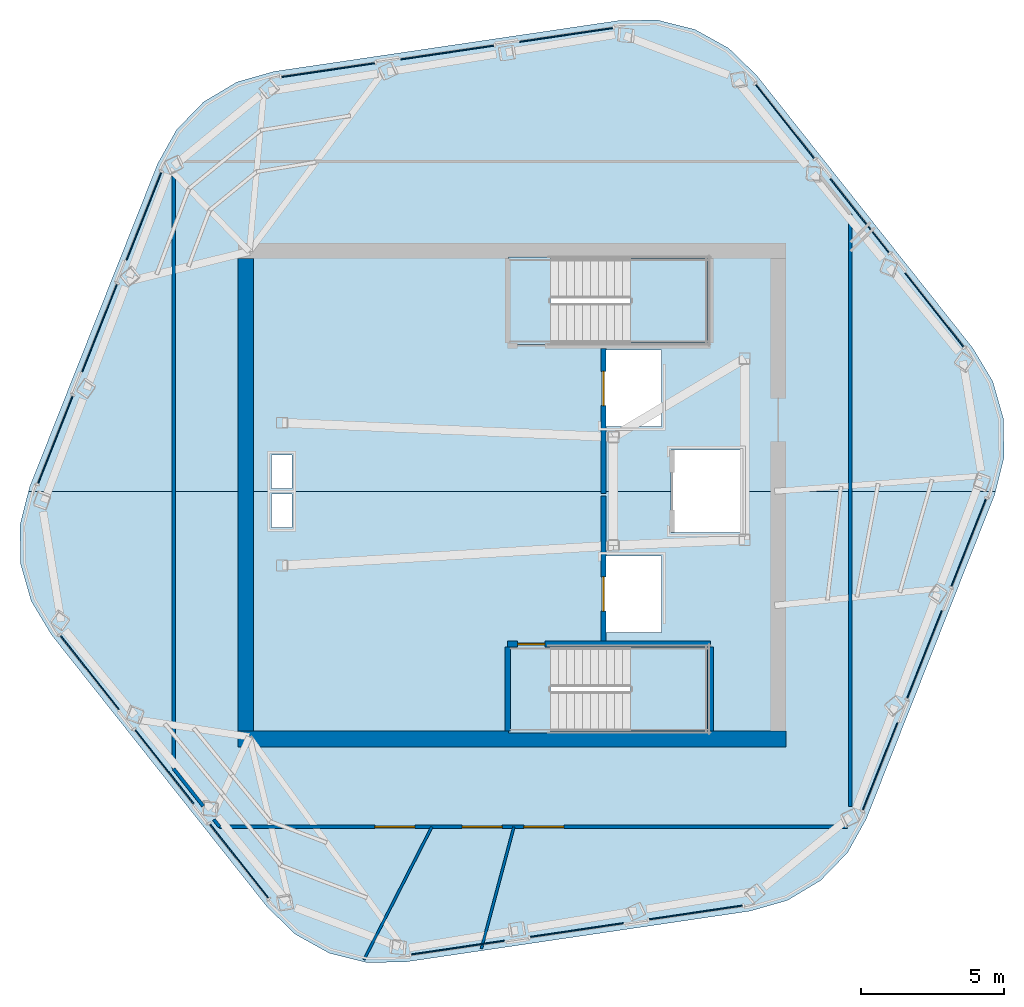
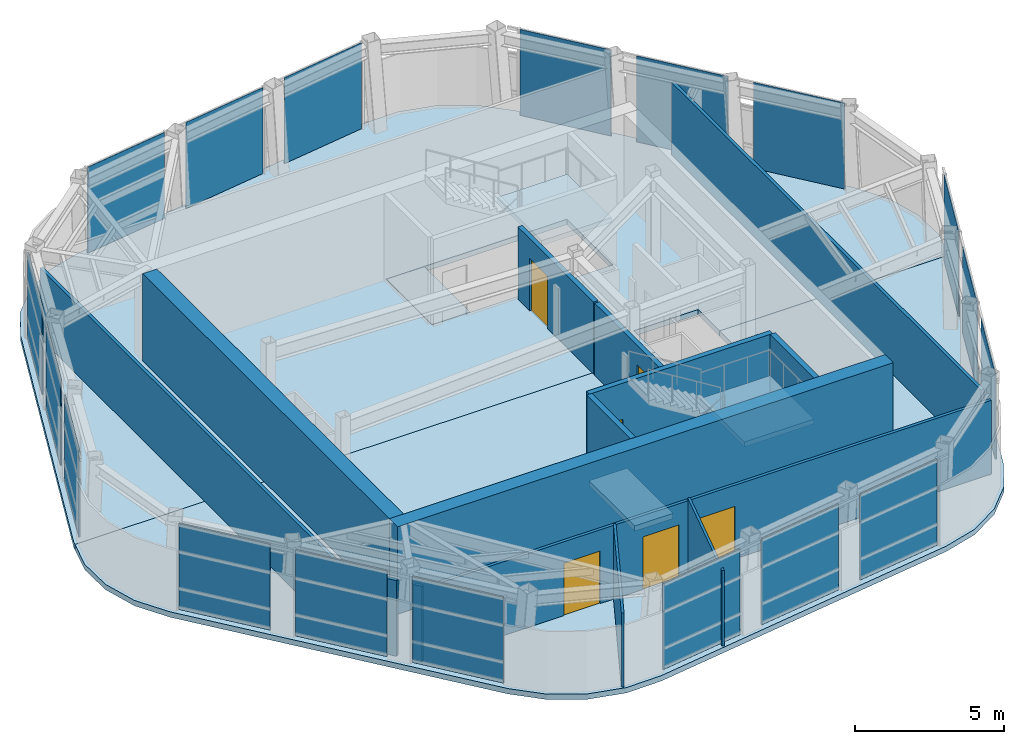
# One storey, part 5 of 9: 18 plates, 14 walls, 6 doors, 6 slabs, 6 openings, 8 elements without a shape of their own.
"""IFC4 building model written with IfcOpenShell, lengths in metres."""

from ifc_helpers import new_model, si_unit, direction, frame, frame_2d, origin, origin_2d, place, context, subcontext, project, spatial, polyline, rectangle, outline, extrude, material, layer, layer_set, type_object, element, fill, aggregate, save


model = new_model("IFC4")

# Units and contexts
model_context = context("Model", 3, precision=1e-05, world=origin(), true_north=direction((0.0, 1.0)))
body_context = subcontext(model_context, "Body", "Model", "MODEL_VIEW")
ifc_project = project(units=[si_unit("LENGTHUNIT", "METRE"), si_unit("AREAUNIT", "SQUARE_METRE"), si_unit("VOLUMEUNIT", "CUBIC_METRE"), si_unit("PLANEANGLEUNIT", "RADIAN"), si_unit("MASSUNIT", "GRAM", prefix="KILO")], contexts=[model_context])

# Site, building, storey
site_placement = place(None, origin())
site = spatial("IfcSite", under=ifc_project, at=site_placement, CompositionType="ELEMENT")
building_placement = place(site_placement, origin())
building = spatial("IfcBuilding", under=site, at=building_placement, Name="Valkerne Bourse Tower", CompositionType="ELEMENT")
storey_placement = place(building_placement, frame((0.0, 0.0, 319.199951171875)))
storey = spatial("IfcBuildingStorey", under=building, at=storey_placement, Name="L81", CompositionType="ELEMENT", Elevation=319.199951171875)

# Curtain wall, plates
ifc_material_1 = material(Name="Aluminium AA 6063-T6", Category="aluminium")
ifc_layer_1 = layer(ifc_material_1, 0.25)
ifc_layer_set_1 = layer_set([ifc_layer_1], Name="Aluminium AA 6063-T6")
curtain_wall_type = type_object("IfcCurtainWallType", Name="CW-06", PredefinedType="NOTDEFINED", material=ifc_layer_set_1)
curtain_wall_1_placement = place(storey_placement, origin())
curtain_wall_1 = element("IfcCurtainWall", 1, at=curtain_wall_1_placement, inside=storey, type_object=curtain_wall_type, Name="L81 Hexagonal Stick Curtain Wall Face 1", PredefinedType="NOTDEFINED")
ifc_material_2 = material(Name="Bronze Anodised Aluminium AA 6063-T6", Category="aluminium")
ifc_layer_2 = layer(ifc_material_2, 0.0400390625)
ifc_layer_set_2 = layer_set([ifc_layer_2], Name="Bronze Anodised Aluminium AA 6063-T6")
plate_type = type_object("IfcPlateType", Name="CW-PNL-LOUVRE-40", PredefinedType="CURTAIN_PANEL", material=ifc_layer_set_2)
plate_1_placement = place(storey_placement, frame((48.69677734375, 42.9873046875, 0.030029296875), z_axis=(0.0, 0.0, 1.0), x_axis=(-0.989268884188, -0.146106381713, 0.0)))
plate_1 = element("IfcPlate", 2, at=plate_1_placement, type_object=plate_type, Name="CW-L81-F1 Curtain Panel 00", PredefinedType="CURTAIN_PANEL", context=body_context, shape_type="SweptSolid", body=[
    extrude(rectangle(XDim=3.2919921875, YDim=0.0400390625, at=origin_2d()), origin(), (0.0, 0.0, 1.0), 3.52001953125),
])
plate_2_placement = place(storey_placement, frame((44.530029296875, 42.3720703125, 0.030029296875), z_axis=(0.0, 0.0, 1.0), x_axis=(-0.989272315516, -0.146083146714, 0.0)))
plate_2 = element("IfcPlate", 3, at=plate_2_placement, type_object=plate_type, Name="CW-L81-F1 Curtain Panel 01", PredefinedType="CURTAIN_PANEL", context=body_context, shape_type="SweptSolid", body=[
    extrude(rectangle(XDim=3.2919921875, YDim=0.0400390625, at=origin_2d()), origin(), (0.0, 0.0, 1.0), 3.52001953125),
])
plate_3_placement = place(storey_placement, frame((40.36328125, 41.756591796875, 0.030029296875), z_axis=(0.0, 0.0, 1.0), x_axis=(-0.989272315516, -0.146083146714, 0.0)))
plate_3 = element("IfcPlate", 4, at=plate_3_placement, type_object=plate_type, Name="CW-L81-F1 Curtain Panel 02", PredefinedType="CURTAIN_PANEL", context=body_context, shape_type="SweptSolid", body=[
    extrude(rectangle(XDim=3.2919921875, YDim=0.0400390625, at=origin_2d()), origin(), (0.0, 0.0, 1.0), 3.52001953125),
])
aggregate(curtain_wall_1, [plate_1, plate_2, plate_3])

curtain_wall_2_placement = place(storey_placement, origin())
curtain_wall_2 = element("IfcCurtainWall", 5, at=curtain_wall_2_placement, inside=storey, type_object=curtain_wall_type, Name="L81 Hexagonal Stick Curtain Wall Face 2", PredefinedType="NOTDEFINED")
plate_4_placement = place(storey_placement, frame((33.903076171875, 36.636474609375, 0.030029296875), z_axis=(0.0, 0.0, 1.0), x_axis=(-0.368130122677, -0.929774280553, 0.0)))
plate_4 = element("IfcPlate", 6, at=plate_4_placement, type_object=plate_type, Name="CW-L81-F2 Curtain Panel 00", PredefinedType="CURTAIN_PANEL", context=body_context, shape_type="SweptSolid", body=[
    extrude(rectangle(XDim=3.2919921875, YDim=0.0400390625, at=origin_2d()), origin(), (0.0, 0.0, 1.0), 3.52001953125),
])
plate_5_placement = place(storey_placement, frame((32.3525390625, 32.72021484375, 0.030029296875), z_axis=(0.0, 0.0, 1.0), x_axis=(-0.368117724578, -0.929779189298, 0.0)))
plate_5 = element("IfcPlate", 7, at=plate_5_placement, type_object=plate_type, Name="CW-L81-F2 Curtain Panel 01", PredefinedType="CURTAIN_PANEL", context=body_context, shape_type="SweptSolid", body=[
    extrude(rectangle(XDim=3.2919921875, YDim=0.0400390625, at=origin_2d()), origin(), (0.0, 0.0, 1.0), 3.52001953125),
])
plate_6_placement = place(storey_placement, frame((30.802001953125, 28.803955078125, 0.030029296875), z_axis=(0.0, 0.0, 1.0), x_axis=(-0.368117724578, -0.929779189298, 0.0)))
plate_6 = element("IfcPlate", 8, at=plate_6_placement, type_object=plate_type, Name="CW-L81-F2 Curtain Panel 02", PredefinedType="CURTAIN_PANEL", context=body_context, shape_type="SweptSolid", body=[
    extrude(rectangle(XDim=3.2919921875, YDim=0.0400390625, at=origin_2d()), origin(), (0.0, 0.0, 1.0), 3.52001953125),
])
aggregate(curtain_wall_2, [plate_4, plate_5, plate_6])

curtain_wall_3_placement = place(storey_placement, origin())
curtain_wall_3 = element("IfcCurtainWall", 9, at=curtain_wall_3_placement, inside=storey, type_object=curtain_wall_type, Name="L81 Hexagonal Stick Curtain Wall Face 3", PredefinedType="NOTDEFINED")
plate_7_placement = place(storey_placement, frame((32.006103515625, 20.649169921875, 0.030029296875), z_axis=(0.0, 0.0, 1.0), x_axis=(0.621153452268, -0.783688961729, 0.0)))
plate_7 = element("IfcPlate", 10, at=plate_7_placement, type_object=plate_type, Name="CW-L81-F3 Curtain Panel 00", PredefinedType="CURTAIN_PANEL", context=body_context, shape_type="SweptSolid", body=[
    extrude(rectangle(XDim=3.2919921875, YDim=0.0400390625, at=origin_2d()), origin(), (0.0, 0.0, 1.0), 3.52001953125),
])
plate_8_placement = place(storey_placement, frame((34.622314453125, 17.34814453125, 0.030029296875), z_axis=(0.0, 0.0, 1.0), x_axis=(0.621153452268, -0.783688961729, 0.0)))
plate_8 = element("IfcPlate", 11, at=plate_8_placement, type_object=plate_type, Name="CW-L81-F3 Curtain Panel 01", PredefinedType="CURTAIN_PANEL", context=body_context, shape_type="SweptSolid", body=[
    extrude(rectangle(XDim=3.2919921875, YDim=0.0400390625, at=origin_2d()), origin(), (0.0, 0.0, 1.0), 3.52001953125),
])
plate_9_placement = place(storey_placement, frame((37.23876953125, 14.04736328125, 0.030029296875), z_axis=(0.0, 0.0, 1.0), x_axis=(0.621153452268, -0.783688961729, 0.0)))
plate_9 = element("IfcPlate", 12, at=plate_9_placement, type_object=plate_type, Name="CW-L81-F3 Curtain Panel 02", PredefinedType="CURTAIN_PANEL", context=body_context, shape_type="SweptSolid", body=[
    extrude(rectangle(XDim=3.2919921875, YDim=0.0400390625, at=origin_2d()), origin(), (0.0, 0.0, 1.0), 3.52001953125),
])
aggregate(curtain_wall_3, [plate_7, plate_8, plate_9])

curtain_wall_4_placement = place(storey_placement, origin())
curtain_wall_4 = element("IfcCurtainWall", 13, at=curtain_wall_4_placement, inside=storey, type_object=curtain_wall_type, Name="L81 Hexagonal Stick Curtain Wall Face 4", PredefinedType="NOTDEFINED")
plate_10_placement = place(storey_placement, frame((44.9033203125, 11.0126953125, 0.030029296875), z_axis=(0.0, 0.0, 1.0), x_axis=(0.989268884188, 0.146106381713, 0.0)))
plate_10 = element("IfcPlate", 14, at=plate_10_placement, type_object=plate_type, Name="CW-L81-F4 Curtain Panel 00", PredefinedType="CURTAIN_PANEL", context=body_context, shape_type="SweptSolid", body=[
    extrude(rectangle(XDim=3.2919921875, YDim=0.0400390625, at=origin_2d()), origin(), (0.0, 0.0, 1.0), 3.52001953125),
])
plate_11_placement = place(storey_placement, frame((49.070068359375, 11.6279296875, 0.030029296875), z_axis=(0.0, 0.0, 1.0), x_axis=(0.989272315516, 0.146083146714, 0.0)))
plate_11 = element("IfcPlate", 15, at=plate_11_placement, type_object=plate_type, Name="CW-L81-F4 Curtain Panel 01", PredefinedType="CURTAIN_PANEL", context=body_context, shape_type="SweptSolid", body=[
    extrude(rectangle(XDim=3.2919921875, YDim=0.0400390625, at=origin_2d()), origin(), (0.0, 0.0, 1.0), 3.52001953125),
])
plate_12_placement = place(storey_placement, frame((53.23681640625, 12.243408203125, 0.030029296875), z_axis=(0.0, 0.0, 1.0), x_axis=(0.989272315516, 0.146083146714, 0.0)))
plate_12 = element("IfcPlate", 16, at=plate_12_placement, type_object=plate_type, Name="CW-L81-F4 Curtain Panel 02", PredefinedType="CURTAIN_PANEL", context=body_context, shape_type="SweptSolid", body=[
    extrude(rectangle(XDim=3.2919921875, YDim=0.0400390625, at=origin_2d()), origin(), (0.0, 0.0, 1.0), 3.52001953125),
])
aggregate(curtain_wall_4, [plate_10, plate_11, plate_12])

curtain_wall_5_placement = place(storey_placement, origin())
curtain_wall_5 = element("IfcCurtainWall", 17, at=curtain_wall_5_placement, inside=storey, type_object=curtain_wall_type, Name="L81 Hexagonal Stick Curtain Wall Face 5", PredefinedType="NOTDEFINED")
plate_13_placement = place(storey_placement, frame((59.697021484375, 17.363525390625, 0.030029296875), z_axis=(0.0, 0.0, 1.0), x_axis=(0.368130122677, 0.929774280553, 0.0)))
plate_13 = element("IfcPlate", 18, at=plate_13_placement, type_object=plate_type, Name="CW-L81-F5 Curtain Panel 00", PredefinedType="CURTAIN_PANEL", context=body_context, shape_type="SweptSolid", body=[
    extrude(rectangle(XDim=3.2919921875, YDim=0.0400390625, at=origin_2d()), origin(), (0.0, 0.0, 1.0), 3.52001953125),
])
plate_14_placement = place(storey_placement, frame((61.24755859375, 21.27978515625, 0.030029296875), z_axis=(0.0, 0.0, 1.0), x_axis=(0.368117724578, 0.929779189298, 0.0)))
plate_14 = element("IfcPlate", 19, at=plate_14_placement, type_object=plate_type, Name="CW-L81-F5 Curtain Panel 01", PredefinedType="CURTAIN_PANEL", context=body_context, shape_type="SweptSolid", body=[
    extrude(rectangle(XDim=3.2919921875, YDim=0.0400390625, at=origin_2d()), origin(), (0.0, 0.0, 1.0), 3.52001953125),
])
plate_15_placement = place(storey_placement, frame((62.798095703125, 25.196044921875, 0.030029296875), z_axis=(0.0, 0.0, 1.0), x_axis=(0.368117724578, 0.929779189298, 0.0)))
plate_15 = element("IfcPlate", 20, at=plate_15_placement, type_object=plate_type, Name="CW-L81-F5 Curtain Panel 02", PredefinedType="CURTAIN_PANEL", context=body_context, shape_type="SweptSolid", body=[
    extrude(rectangle(XDim=3.2919921875, YDim=0.0400390625, at=origin_2d()), origin(), (0.0, 0.0, 1.0), 3.52001953125),
])
aggregate(curtain_wall_5, [plate_13, plate_14, plate_15])

curtain_wall_6_placement = place(storey_placement, origin())
curtain_wall_6 = element("IfcCurtainWall", 21, at=curtain_wall_6_placement, inside=storey, type_object=curtain_wall_type, Name="L81 Hexagonal Stick Curtain Wall Face 6", PredefinedType="NOTDEFINED")
plate_16_placement = place(storey_placement, frame((61.593994140625, 33.350830078125, 0.030029296875), z_axis=(0.0, 0.0, 1.0), x_axis=(-0.621153452268, 0.783688961729, 0.0)))
plate_16 = element("IfcPlate", 22, at=plate_16_placement, type_object=plate_type, Name="CW-L81-F6 Curtain Panel 00", PredefinedType="CURTAIN_PANEL", context=body_context, shape_type="SweptSolid", body=[
    extrude(rectangle(XDim=3.2919921875, YDim=0.0400390625, at=origin_2d()), origin(), (0.0, 0.0, 1.0), 3.52001953125),
])
plate_17_placement = place(storey_placement, frame((58.9775390625, 36.65185546875, 0.030029296875), z_axis=(0.0, 0.0, 1.0), x_axis=(-0.621153452268, 0.783688961729, 0.0)))
plate_17 = element("IfcPlate", 23, at=plate_17_placement, type_object=plate_type, Name="CW-L81-F6 Curtain Panel 01", PredefinedType="CURTAIN_PANEL", context=body_context, shape_type="SweptSolid", body=[
    extrude(rectangle(XDim=3.2919921875, YDim=0.0400390625, at=origin_2d()), origin(), (0.0, 0.0, 1.0), 3.52001953125),
])
plate_18_placement = place(storey_placement, frame((56.361328125, 39.95263671875, 0.030029296875), z_axis=(0.0, 0.0, 1.0), x_axis=(-0.621153452268, 0.783688961729, 0.0)))
plate_18 = element("IfcPlate", 24, at=plate_18_placement, type_object=plate_type, Name="CW-L81-F6 Curtain Panel 02", PredefinedType="CURTAIN_PANEL", context=body_context, shape_type="SweptSolid", body=[
    extrude(rectangle(XDim=3.2919921875, YDim=0.0400390625, at=origin_2d()), origin(), (0.0, 0.0, 1.0), 3.52001953125),
])
aggregate(curtain_wall_6, [plate_16, plate_17, plate_18])

# Slabs
ifc_material_3 = material(Name="Concrete C40/50", Category="concrete")
ifc_layer_3 = layer(ifc_material_3, 0.219970703125)
ifc_layer_set_3 = layer_set([ifc_layer_3], Name="Concrete C40/50")
slab_type_1 = type_object("IfcSlabType", Name="SLB-CRN-220", PredefinedType="FLOOR", material=ifc_layer_set_3)
slab_1_placement = place(storey_placement, frame((0.0, 0.0, -0.219970703125)))
element("IfcSlab", 25, at=slab_1_placement, inside=storey, type_object=slab_type_1, Name="L81 Hexagonal Composite Floor Slab S", PredefinedType="FLOOR", context=body_context, shape_type="SweptSolid", body=[
    extrude(outline(polyline([(63.69970703125, 26.8671875), (59.210205078125, 15.5283203125), (58.5498046875, 14.342041015625), (57.605224609375, 13.3671875), (56.4404296875, 12.670166015625), (55.135009765625, 12.298095703125), (43.070068359375, 10.5166015625), (41.712890625, 10.495361328125), (40.396240234375, 10.825927734375), (39.210205078125, 11.486083984375), (38.2353515625, 12.430908203125), (30.66015625, 21.988525390625), (29.962890625, 23.1533203125), (29.591064453125, 24.458740234375), (29.569580078125, 25.816162109375), (29.8671875, 27.0), (52.360107421875, 27.0), (52.360107421875, 25.56005859375), (54.840087890625, 25.56005859375), (54.840087890625, 27.0), (63.73291015625, 27.0), (63.69970703125, 26.8671875)]), holes=[polyline([(46.6650390625, 18.534912109375), (53.675048828125, 18.534912109375), (53.675048828125, 21.614990234375), (46.6650390625, 21.614990234375), (46.6650390625, 18.534912109375)]), polyline([(49.9599609375, 24.739990234375), (49.9599609375, 22.06005859375), (52.0400390625, 22.06005859375), (52.0400390625, 24.739990234375), (49.9599609375, 24.739990234375)]), polyline([(38.3798828125, 26.89990234375), (38.3798828125, 25.72998046875), (39.10009765625, 25.72998046875), (39.10009765625, 26.89990234375), (38.3798828125, 26.89990234375)])]), origin(), (0.0, 0.0, 1.0), 0.219970703125),
])
slab_2_placement = place(storey_placement, frame((0.0, 0.0, -0.219970703125)))
element("IfcSlab", 26, at=slab_2_placement, inside=storey, type_object=slab_type_1, Name="L81 Hexagonal Composite Floor Slab N", PredefinedType="FLOOR", context=body_context, shape_type="SweptSolid", body=[
    extrude(outline(polyline([(63.63720703125, 30.8466796875), (64.0087890625, 29.541259765625), (64.0302734375, 28.183837890625), (63.73291015625, 27.0), (54.840087890625, 27.0), (54.840087890625, 28.43994140625), (52.360107421875, 28.43994140625), (52.360107421875, 27.0), (29.8671875, 27.0), (29.900390625, 27.1328125), (34.389892578125, 38.4716796875), (35.050048828125, 39.657958984375), (35.994873046875, 40.6328125), (37.15966796875, 41.329833984375), (38.465087890625, 41.701904296875), (50.52978515625, 43.4833984375), (51.88720703125, 43.504638671875), (53.20361328125, 43.174072265625), (54.389892578125, 42.513916015625), (55.36474609375, 41.569091796875), (62.93994140625, 32.011474609375), (63.63720703125, 30.8466796875)]), holes=[polyline([(38.3798828125, 28.27001953125), (38.3798828125, 27.10009765625), (39.10009765625, 27.10009765625), (39.10009765625, 28.27001953125), (38.3798828125, 28.27001953125)]), polyline([(49.9599609375, 31.93994140625), (49.9599609375, 29.260009765625), (52.0400390625, 29.260009765625), (52.0400390625, 31.93994140625), (49.9599609375, 31.93994140625)]), polyline([(46.6650390625, 35.215087890625), (46.6650390625, 32.135009765625), (53.675048828125, 32.135009765625), (53.675048828125, 35.215087890625), (46.6650390625, 35.215087890625)])]), origin(), (0.0, 0.0, 1.0), 0.219970703125),
])
ifc_layer_4 = layer(ifc_material_3, 0.25)
ifc_layer_set_4 = layer_set([ifc_layer_4], Name="Concrete C40/50")
slab_type_2 = type_object("IfcSlabType", Name="SLB-RMP-LND-250", PredefinedType="LANDING", material=ifc_layer_set_4)
slab_3_placement = place(storey_placement, frame((0.0, 0.0, -0.219970703125)))
element("IfcSlab", 27, at=slab_3_placement, inside=storey, type_object=slab_type_2, Name="L81 ST-1 Floor Landing Slab", PredefinedType="LANDING", context=body_context, shape_type="SweptSolid", body=[
    extrude(outline(polyline([(46.669921875, 18.5400390625), (48.14990234375, 18.5400390625), (48.14990234375, 21.610107421875), (46.669921875, 21.610107421875), (46.669921875, 18.5400390625)])), origin(), (0.0, 0.0, 1.0), 0.219970703125),
])
slab_4_placement = place(storey_placement, frame((0.0, 0.0, -0.219970703125)))
element("IfcSlab", 28, at=slab_4_placement, inside=storey, type_object=slab_type_2, Name="L81 ST-2 Floor Landing Slab", PredefinedType="LANDING", context=body_context, shape_type="SweptSolid", body=[
    extrude(outline(polyline([(46.669921875, 32.139892578125), (48.14990234375, 32.139892578125), (48.14990234375, 35.2099609375), (46.669921875, 35.2099609375), (46.669921875, 32.139892578125)])), origin(), (0.0, 0.0, 1.0), 0.219970703125),
])

# Stair, slab
stair_type = type_object("IfcStairType", Name="ST-CORE-1400", PredefinedType="HALF_TURN_STAIR", material=ifc_material_3)
stair_1_placement = place(storey_placement, origin())
stair_1 = element("IfcStair", 29, at=stair_1_placement, inside=storey, type_object=stair_type, Name="L81 ST-1", PredefinedType="HALF_TURN_STAIR")
ifc_layer_5 = layer(ifc_material_3, 0.179931640625)
ifc_layer_set_5 = layer_set([ifc_layer_5], Name="Concrete C40/50")
slab_type_3 = type_object("IfcSlabType", Name="SLB-ST-LND-180", PredefinedType="LANDING", material=ifc_layer_set_5)
slab_5_placement = place(storey_placement, frame((0.0, 0.0, 1.699951171875)))
slab_5 = element("IfcSlab", 30, at=slab_5_placement, type_object=slab_type_3, Name="ST-1 landing 1", PredefinedType="LANDING", context=body_context, shape_type="SweptSolid", body=[
    extrude(outline(polyline([(50.949951171875, 18.60009765625), (53.64990234375, 18.60009765625), (53.64990234375, 21.550048828125), (50.949951171875, 21.550048828125), (50.949951171875, 18.60009765625)])), origin(), (0.0, 0.0, 1.0), 0.2001953125),
])
aggregate(stair_1, [slab_5])

stair_2_placement = place(storey_placement, origin())
stair_2 = element("IfcStair", 31, at=stair_2_placement, inside=storey, type_object=stair_type, Name="L81 ST-2", PredefinedType="HALF_TURN_STAIR")
slab_6_placement = place(storey_placement, frame((0.0, 0.0, 1.699951171875)))
slab_6 = element("IfcSlab", 32, at=slab_6_placement, type_object=slab_type_3, Name="ST-2 landing 1", PredefinedType="LANDING", context=body_context, shape_type="SweptSolid", body=[
    extrude(outline(polyline([(50.949951171875, 32.199951171875), (53.64990234375, 32.199951171875), (53.64990234375, 35.14990234375), (50.949951171875, 35.14990234375), (50.949951171875, 32.199951171875)])), origin(), (0.0, 0.0, 1.0), 0.2001953125),
])
aggregate(stair_2, [slab_6])

# Walls
ifc_material_4 = material(Name="Concrete C55/67", Category="concrete")
ifc_layer_6 = layer(ifc_material_4, 0.550048828125)
ifc_layer_set_6 = layer_set([ifc_layer_6], Name="Concrete C55/67")
wall_type_1 = type_object("IfcWallType", Name="W-CORE-550", PredefinedType="SHEAR", material=ifc_layer_set_6)
wall_1_placement = place(storey_placement, frame((37.199951171875, 18.324951171875, 0.0), z_axis=(0.0, 0.0, 1.0), x_axis=(1.0, 0.0, 0.0)))
element("IfcWall", 33, at=wall_1_placement, inside=storey, type_object=wall_type_1, Name="L81 Core Shear Wall SOUTH", PredefinedType="SHEAR", context=body_context, shape_type="SweptSolid", body=[
    extrude(rectangle(XDim=19.199951171875, YDim=0.550048828125, at=frame_2d((9.60009765625, 0.0))), origin(), (0.0, 0.0, 1.0), 3.580078125),
])
wall_2_placement = place(storey_placement, frame((37.47509765625, 18.60009765625, 0.0), z_axis=(0.0, 0.0, 1.0), x_axis=(0.0, 1.0, 0.0)))
element("IfcWall", 34, at=wall_2_placement, inside=storey, type_object=wall_type_1, Name="L81 Core Shear Wall WEST", PredefinedType="SHEAR", context=body_context, shape_type="SweptSolid", body=[
    extrude(rectangle(XDim=16.5498046875, YDim=0.550048828125, at=frame_2d((8.27490234375, 0.0))), origin(), (0.0, 0.0, 1.0), 3.580078125),
])

# Wall, openings, doors
ifc_material_5 = material(Name="Gypsum Board Steel-Stud Partition", Category="steel")
ifc_layer_7 = layer(ifc_material_5, 0.117919921875)
ifc_layer_set_7 = layer_set([ifc_layer_7], Name="Gypsum Board Steel-Stud Partition")
wall_type_2 = type_object("IfcWallType", Name="W-CORR-140", PredefinedType="PARTITIONING", material=ifc_layer_set_7)
wall_3_placement = place(storey_placement, frame((58.5517578125, 15.25, 0.0), z_axis=(0.0, 0.0, 1.0), x_axis=(-1.0, 0.0, 0.0)))
wall_3 = element("IfcWall", 35, at=wall_3_placement, inside=storey, type_object=wall_type_2, Name="L81 Corridor Enclosure Wall", PredefinedType="PARTITIONING", context=body_context, shape_type="SweptSolid", body=[
    extrude(rectangle(XDim=21.9892578125, YDim=0.117919921875, at=frame_2d((10.99462890625, 0.0))), origin(), (0.0, 0.0, 1.0), 3.021484375),
])
opening_1_placement = place(wall_3_placement, frame((12.0947265625, 0.0, 0.0)))
opening_1 = element("IfcOpeningElement", 36, at=opening_1_placement, cuts=wall_3, Name="Opening D-PL-1400", PredefinedType="OPENING", context=body_context, shape_type="SweptSolid", body=[
    extrude(rectangle(XDim=1.39990234375, YDim=2.14990234375, at=frame_2d((0.699951171875, 1.074951171875))), frame((0.0, 0.06884765625, 0.0), z_axis=(0.0, -1.0, 0.0), x_axis=(1.0, 0.0, 0.0)), (0.0, 0.0, 1.0), 0.137939453125),
])
opening_2_placement = place(wall_3_placement, frame((9.934814453125, 0.0, 0.0)))
opening_2 = element("IfcOpeningElement", 37, at=opening_2_placement, cuts=wall_3, Name="Opening D-PL-1400", PredefinedType="OPENING", context=body_context, shape_type="SweptSolid", body=[
    extrude(rectangle(XDim=1.39990234375, YDim=2.14990234375, at=frame_2d((0.699951171875, 1.074951171875))), frame((0.0, 0.06884765625, 0.0), z_axis=(0.0, -1.0, 0.0), x_axis=(1.0, 0.0, 0.0)), (0.0, 0.0, 1.0), 0.137939453125),
])
opening_3_placement = place(wall_3_placement, frame((15.15478515625, 0.0, 0.0)))
opening_3 = element("IfcOpeningElement", 38, at=opening_3_placement, cuts=wall_3, Name="Opening D-PL-1400", PredefinedType="OPENING", context=body_context, shape_type="SweptSolid", body=[
    extrude(rectangle(XDim=1.39990234375, YDim=2.14990234375, at=frame_2d((0.699951171875, 1.074951171875))), frame((0.0, 0.06884765625, 0.0), z_axis=(0.0, -1.0, 0.0), x_axis=(1.0, 0.0, 0.0)), (0.0, 0.0, 1.0), 0.137939453125),
])
ifc_material_6 = material(Name="Galvanised Painted Steel", Category="steel")
door_type_1 = type_object("IfcDoorType", Name="DR-PLT-1400", OperationType="DOUBLE_DOOR_SINGLE_SWING", PredefinedType="DOOR", material=ifc_material_6)
door_1_placement = place(opening_1_placement, origin())
door_1 = element("IfcDoor", 39, at=door_1_placement, inside=storey, type_object=door_type_1, Name="L81 L81 800-Tonne Tuned Mass Damper Mechanical Plant Chamber 1 Door", OperationType="DOUBLE_DOOR_SINGLE_SWING", OverallHeight=2.14990234375, OverallWidth=1.39990234375, PredefinedType="DOOR", context=body_context, shape_type="SweptSolid", body=[
    extrude(rectangle(XDim=1.39990234375, YDim=2.14990234375, at=frame_2d((0.699951171875, 1.074951171875))), frame((0.0, 0.02490234375, 0.0), z_axis=(0.0, -1.0, 0.0), x_axis=(1.0, 0.0, 0.0)), (0.0, 0.0, 1.0), 0.050048828125),
])
fill(opening_1, door_1)
door_2_placement = place(opening_2_placement, origin())
door_2 = element("IfcDoor", 40, at=door_2_placement, inside=storey, type_object=door_type_1, Name="L81 L81 High-Zone Heat-Recovery AHU Mechanical Plant Room 2 Door", OperationType="DOUBLE_DOOR_SINGLE_SWING", OverallHeight=2.14990234375, OverallWidth=1.39990234375, PredefinedType="DOOR", context=body_context, shape_type="SweptSolid", body=[
    extrude(rectangle(XDim=1.39990234375, YDim=2.14990234375, at=frame_2d((0.699951171875, 1.074951171875))), frame((0.0, 0.02490234375, 0.0), z_axis=(0.0, -1.0, 0.0), x_axis=(1.0, 0.0, 0.0)), (0.0, 0.0, 1.0), 0.050048828125),
])
fill(opening_2, door_2)
door_3_placement = place(opening_3_placement, origin())
door_3 = element("IfcDoor", 41, at=door_3_placement, inside=storey, type_object=door_type_1, Name="L81 L81 High-Zone Fire Reserve Booster Pump Plant Room 3 Door", OperationType="DOUBLE_DOOR_SINGLE_SWING", OverallHeight=2.14990234375, OverallWidth=1.39990234375, PredefinedType="DOOR", context=body_context, shape_type="SweptSolid", body=[
    extrude(rectangle(XDim=1.39990234375, YDim=2.14990234375, at=frame_2d((0.699951171875, 1.074951171875))), frame((0.0, 0.02490234375, 0.0), z_axis=(0.0, -1.0, 0.0), x_axis=(1.0, 0.0, 0.0)), (0.0, 0.0, 1.0), 0.050048828125),
])
fill(opening_3, door_3)

# Walls
wall_4_placement = place(storey_placement, frame((36.5625, 15.25, 0.0), z_axis=(0.0, 0.0, 1.0), x_axis=(-0.621474436865, 0.783434441624, 0.0)))
element("IfcWall", 42, at=wall_4_placement, inside=storey, type_object=wall_type_2, Name="L81 Corridor Enclosure Wall", PredefinedType="PARTITIONING", context=body_context, shape_type="SweptSolid", body=[
    extrude(rectangle(XDim=0.323974609375, YDim=0.117919921875, at=frame_2d((0.162109375, 0.0))), origin(), (0.0, 0.0, 1.0), 3.094970703125),
])
wall_5_placement = place(storey_placement, frame((35.98828125, 15.97412109375, 0.0), z_axis=(0.0, 0.0, 1.0), x_axis=(-0.621144264721, 0.783696243709, 0.0)))
element("IfcWall", 43, at=wall_5_placement, inside=storey, type_object=wall_type_2, Name="L81 Corridor Enclosure Wall", PredefinedType="PARTITIONING", context=body_context, shape_type="SweptSolid", body=[
    extrude(rectangle(XDim=1.671630859375, YDim=0.117919921875, at=frame_2d((0.8359375, 0.0))), origin(), (0.0, 0.0, 1.0), 3.094970703125),
])
wall_6_placement = place(storey_placement, frame((34.949951171875, 17.2841796875, 0.0), z_axis=(0.0, 0.0, 1.0), x_axis=(0.0, 1.0, 0.0)))
element("IfcWall", 44, at=wall_6_placement, inside=storey, type_object=wall_type_2, Name="L81 Corridor Enclosure Wall", PredefinedType="PARTITIONING", context=body_context, shape_type="SweptSolid", body=[
    extrude(rectangle(XDim=20.751220703125, YDim=0.117919921875, at=frame_2d((10.37548828125, 0.0))), origin(), (0.0, 0.0, 1.0), 2.876708984375),
])
wall_7_placement = place(storey_placement, frame((58.64990234375, 36.7158203125, 0.0), z_axis=(0.0, 0.0, 1.0), x_axis=(0.0, -1.0, 0.0)))
element("IfcWall", 45, at=wall_7_placement, inside=storey, type_object=wall_type_2, Name="L81 Corridor Enclosure Wall", PredefinedType="PARTITIONING", context=body_context, shape_type="SweptSolid", body=[
    extrude(rectangle(XDim=20.751220703125, YDim=0.117919921875, at=frame_2d((10.37548828125, 0.0))), origin(), (0.0, 0.0, 1.0), 2.962890625),
])

# Wall, opening, door
ifc_material_7 = material(Name="Gypsum Fire-Rated Shaftwall", Category="gypsum")
ifc_layer_8 = layer(ifc_material_7, 0.179931640625)
ifc_layer_set_8 = layer_set([ifc_layer_8], Name="Gypsum Fire-Rated Shaftwall")
wall_type_3 = type_object("IfcWallType", Name="W-FSAE-180", PredefinedType="PARTITIONING", material=ifc_layer_set_8)
wall_8_placement = place(storey_placement, frame((50.0, 21.75, 0.0), z_axis=(0.0, 0.0, 1.0), x_axis=(0.0, 1.0, 0.0)))
wall_8 = element("IfcWall", 46, at=wall_8_placement, inside=storey, type_object=wall_type_3, Name="L81 FSAE-1 Lobby & Shaft Front Wall", PredefinedType="PARTITIONING", context=body_context, shape_type="SweptSolid", body=[
    extrude(rectangle(XDim=5.090087890625, YDim=0.179931640625, at=frame_2d((2.544921875, 0.0))), origin(), (0.0, 0.0, 1.0), 2.957763671875),
])
opening_4_placement = place(wall_8_placement, frame((1.050048828125, 0.0, 0.0)))
opening_4 = element("IfcOpeningElement", 47, at=opening_4_placement, cuts=wall_8, Name="Opening LD-1200", PredefinedType="OPENING", context=body_context, shape_type="SweptSolid", body=[
    extrude(rectangle(XDim=1.199951171875, YDim=2.14990234375, at=frame_2d((0.60009765625, 1.074951171875))), frame((0.0, 0.099853515625, 0.0), z_axis=(0.0, -1.0, 0.0), x_axis=(1.0, 0.0, 0.0)), (0.0, 0.0, 1.0), 0.199951171875),
])
ifc_material_8 = material(Name="Stainless Steel AISI 316", Category="steel")
door_type_2 = type_object("IfcDoorType", Name="DR-LIFT-1200", OperationType="DOUBLE_DOOR_SLIDING", PredefinedType="DOOR", material=ifc_material_8)
door_4_placement = place(opening_4_placement, origin())
door_4 = element("IfcDoor", 48, at=door_4_placement, inside=storey, type_object=door_type_2, Name="L81 FSAE-1 Firefighting Lift Landing Door", OperationType="DOUBLE_DOOR_SLIDING", OverallHeight=2.14990234375, OverallWidth=1.199951171875, PredefinedType="DOOR", context=body_context, shape_type="SweptSolid", body=[
    extrude(rectangle(XDim=1.199951171875, YDim=2.14990234375, at=frame_2d((0.60009765625, 1.074951171875))), frame((0.0, 0.02490234375, 0.0), z_axis=(0.0, -1.0, 0.0), x_axis=(1.0, 0.0, 0.0)), (0.0, 0.0, 1.0), 0.050048828125),
])
fill(opening_4, door_4)

wall_9_placement = place(storey_placement, frame((50.0, 26.919921875, 0.0), z_axis=(0.0, 0.0, 1.0), x_axis=(0.0, 1.0, 0.0)))
wall_9 = element("IfcWall", 49, at=wall_9_placement, inside=storey, type_object=wall_type_3, Name="L81 FSAE-2 Lobby & Shaft Front Wall", PredefinedType="PARTITIONING", context=body_context, shape_type="SweptSolid", body=[
    extrude(rectangle(XDim=5.080078125, YDim=0.179931640625, at=frame_2d((2.5400390625, 0.0))), origin(), (0.0, 0.0, 1.0), 2.957763671875),
])
opening_5_placement = place(wall_9_placement, frame((3.080078125, 0.0, 0.0)))
opening_5 = element("IfcOpeningElement", 50, at=opening_5_placement, cuts=wall_9, Name="Opening LD-1200", PredefinedType="OPENING", context=body_context, shape_type="SweptSolid", body=[
    extrude(rectangle(XDim=1.199951171875, YDim=2.14990234375, at=frame_2d((0.60009765625, 1.074951171875))), frame((0.0, 0.099853515625, 0.0), z_axis=(0.0, -1.0, 0.0), x_axis=(1.0, 0.0, 0.0)), (0.0, 0.0, 1.0), 0.199951171875),
])
door_5_placement = place(opening_5_placement, origin())
door_5 = element("IfcDoor", 51, at=door_5_placement, inside=storey, type_object=door_type_2, Name="L81 FSAE-2 Firefighting Lift Landing Door", OperationType="DOUBLE_DOOR_SLIDING", OverallHeight=2.14990234375, OverallWidth=1.199951171875, PredefinedType="DOOR", context=body_context, shape_type="SweptSolid", body=[
    extrude(rectangle(XDim=1.199951171875, YDim=2.14990234375, at=frame_2d((0.60009765625, 1.074951171875))), frame((0.0, 0.02490234375, 0.0), z_axis=(0.0, -1.0, 0.0), x_axis=(1.0, 0.0, 0.0)), (0.0, 0.0, 1.0), 0.050048828125),
])
fill(opening_5, door_5)

# Walls
ifc_layer_9 = layer(ifc_material_5, 0.092041015625)
ifc_layer_set_9 = layer_set([ifc_layer_9], Name="Gypsum Board Steel-Stud Partition")
wall_type_4 = type_object("IfcWallType", Name="W-PART-115", PredefinedType="PARTITIONING", material=ifc_layer_set_9)
wall_10_placement = place(storey_placement, frame((46.865234375, 15.2451171875, 0.0), z_axis=(0.0, 0.0, 1.0), x_axis=(-0.25766609278, -0.966234021669, 0.0)))
element("IfcWall", 52, at=wall_10_placement, inside=storey, type_object=wall_type_4, Name="L81 Suite Partition P02", PredefinedType="PARTITIONING", context=body_context, shape_type="SweptSolid", body=[
    extrude(rectangle(XDim=4.41455078125, YDim=0.092041015625, at=frame_2d((2.207275390625, 0.0))), origin(), (0.0, 0.0, 1.0), 3.094970703125),
])
wall_11_placement = place(storey_placement, frame((43.991943359375, 15.2451171875, 0.0), z_axis=(0.0, 0.0, 1.0), x_axis=(-0.455083069605, -0.890448987735, 0.0)))
element("IfcWall", 53, at=wall_11_placement, inside=storey, type_object=wall_type_4, Name="L81 Suite Partition P03", PredefinedType="PARTITIONING", context=body_context, shape_type="SweptSolid", body=[
    extrude(rectangle(XDim=5.225341796875, YDim=0.092041015625, at=frame_2d((2.61279296875, 0.0))), origin(), (0.0, 0.0, 1.0), 3.03662109375),
])

# Wall, opening, door
ifc_layer_10 = layer(ifc_material_3, 0.199951171875)
ifc_layer_set_10 = layer_set([ifc_layer_10], Name="Concrete C40/50")
wall_type_5 = type_object("IfcWallType", Name="W-SHF-200", PredefinedType="SHEAR", material=ifc_layer_set_10)
wall_12_placement = place(storey_placement, frame((46.64990234375, 21.64990234375, 0.0), z_axis=(0.0, 0.0, 1.0), x_axis=(1.0, 0.0, 0.0)))
wall_12 = element("IfcWall", 54, at=wall_12_placement, inside=storey, type_object=wall_type_5, Name="L81 Exit Stair ST-1 Structural Shaft Wall North", PredefinedType="SHEAR", context=body_context, shape_type="SweptSolid", body=[
    extrude(rectangle(XDim=7.10009765625, YDim=0.199951171875, at=frame_2d((3.550048828125, 0.0))), origin(), (0.0, 0.0, 1.0), 3.580078125),
])
opening_6_placement = place(wall_12_placement, frame((0.35009765625, 0.0, 0.0)))
opening_6 = element("IfcOpeningElement", 55, at=opening_6_placement, cuts=wall_12, Name="Opening D-ST-950", PredefinedType="OPENING", context=body_context, shape_type="SweptSolid", body=[
    extrude(rectangle(XDim=0.949951171875, YDim=2.10009765625, at=frame_2d((0.47509765625, 1.050048828125))), frame((0.0, 0.10986328125, 0.0), z_axis=(0.0, -1.0, 0.0), x_axis=(1.0, 0.0, 0.0)), (0.0, 0.0, 1.0), 0.219970703125),
])
door_type_3 = type_object("IfcDoorType", Name="DR-STAIR-950", OperationType="NOTDEFINED", PredefinedType="DOOR", material=ifc_material_6)
door_6_placement = place(opening_6_placement, origin())
door_6 = element("IfcDoor", 56, at=door_6_placement, inside=storey, type_object=door_type_3, Name="L81 Exit Stair ST-1 Door", OperationType="SINGLE_SWING_RIGHT", OverallHeight=2.10009765625, OverallWidth=0.949951171875, PredefinedType="DOOR", context=body_context, shape_type="SweptSolid", body=[
    extrude(rectangle(XDim=0.949951171875, YDim=2.10009765625, at=frame_2d((0.47509765625, 1.050048828125))), frame((0.0, 0.02490234375, 0.0), z_axis=(0.0, -1.0, 0.0), x_axis=(1.0, 0.0, 0.0)), (0.0, 0.0, 1.0), 0.050048828125),
])
fill(opening_6, door_6)

# Walls
for number, where, z_axis, x_axis, name in (
    (57, (46.64990234375, 18.60009765625, 0.0), (0.0, 0.0, 1.0), (0.0, 1.0, 0.0), "L81 Exit Stair ST-1 Structural Shaft Wall West"),
    (58, (53.75, 18.60009765625, 0.0), (0.0, 0.0, 1.0), (0.0, 1.0, 0.0), "L81 Exit Stair ST-1 Structural Shaft Wall East"),
):
    element("IfcWall", number, at=place(storey_placement, frame(where, z_axis=z_axis, x_axis=x_axis)), inside=storey, type_object=wall_type_5, Name=name, PredefinedType="SHEAR", context=body_context, shape_type="SweptSolid", body=[
        extrude(rectangle(XDim=2.949951171875, YDim=0.199951171875, at=frame_2d((1.47509765625, 0.0))), origin(), (0.0, 0.0, 1.0), 3.580078125),
    ])

save(model, "model.ifc")
